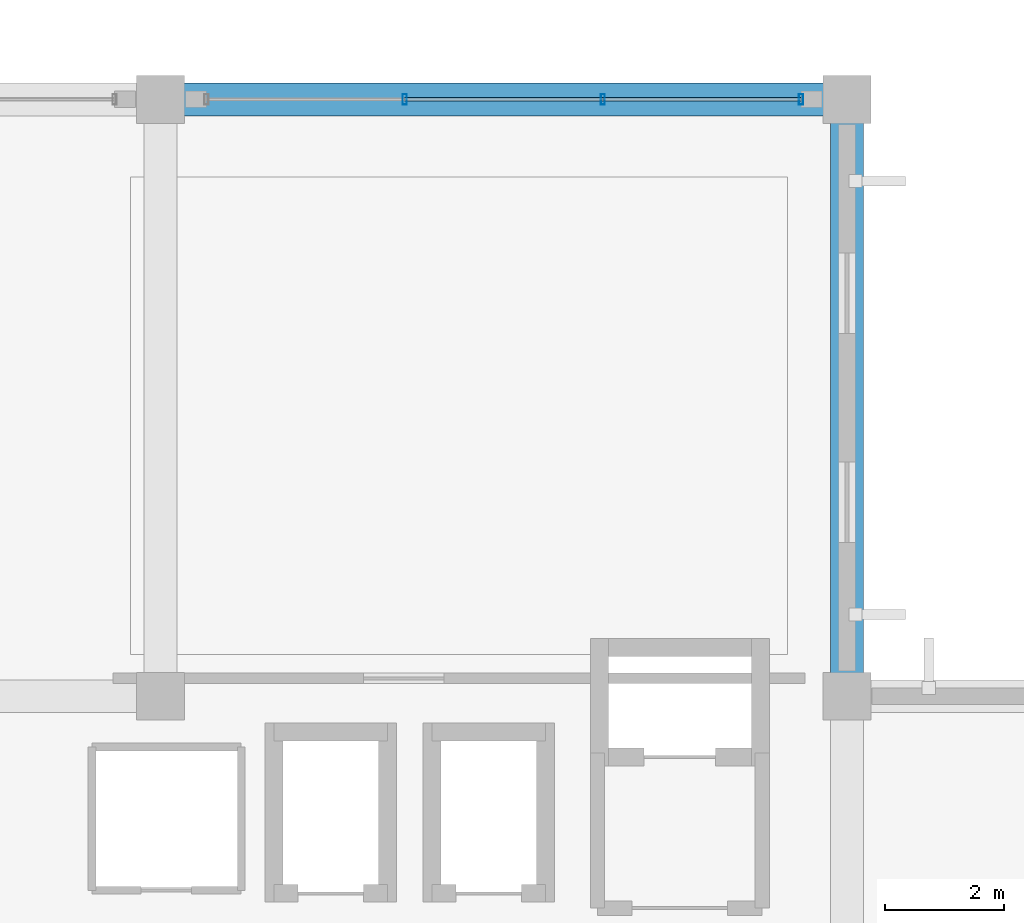
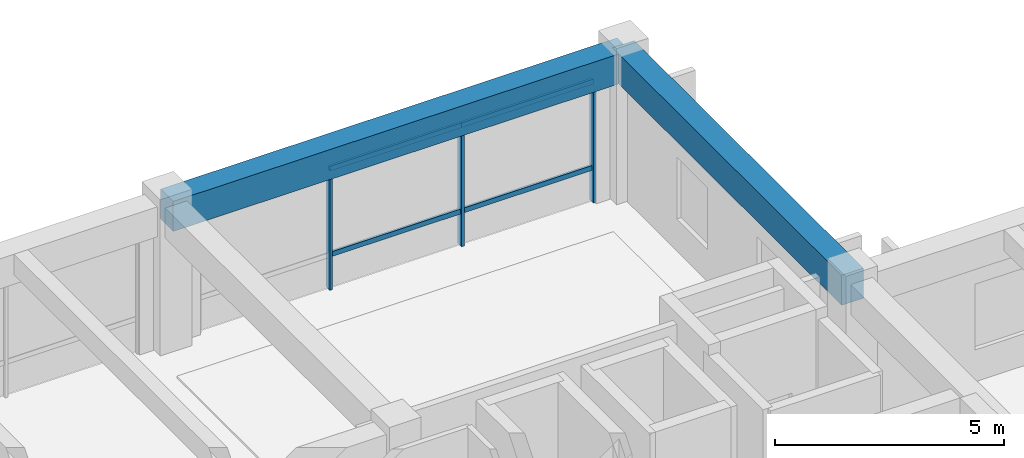
# One storey, part 22 of 33: 7 members, 2 beams, 1 element without a shape of its own.
"""IFC4 building model written with IfcOpenShell, lengths in metres."""

from ifc_helpers import new_model, si_unit, direction, frame, origin, origin_2d, place, context, subcontext, project, spatial, rectangle, hollow_rectangle, extrude, material, material_profile, profile_set, type_object, element, aggregate, save


model = new_model("IFC4")

# Units and contexts
model_context = context("Model", 3, precision=1e-05, world=origin(), true_north=direction((0.0, 1.0)))
body_context = subcontext(model_context, "Body", "Model", "MODEL_VIEW")
ifc_project = project(units=[si_unit("LENGTHUNIT", "METRE"), si_unit("AREAUNIT", "SQUARE_METRE"), si_unit("VOLUMEUNIT", "CUBIC_METRE"), si_unit("PLANEANGLEUNIT", "RADIAN"), si_unit("MASSUNIT", "GRAM", prefix="KILO")], contexts=[model_context])

# Site, building, storey
site_placement = place(None, origin())
site = spatial("IfcSite", under=ifc_project, at=site_placement, CompositionType="ELEMENT")
building_placement = place(site_placement, origin())
building = spatial("IfcBuilding", under=site, at=building_placement, Name="Ologun Quay Terminus", CompositionType="ELEMENT")
storey_placement = place(building_placement, frame((0.0, 0.0, 18.300048828125)))
storey = spatial("IfcBuildingStorey", under=building, at=storey_placement, Name="L04", CompositionType="ELEMENT", Elevation=18.300048828125)

# Beams
ifc_material_1 = material(Name="Concrete C40/50", Category="concrete")
ifc_material_profile_1 = material_profile(ifc_material_1, rectangle(XDim=0.550048828125, YDim=0.800048828125, at=origin_2d()), Name="RC 550x800")
ifc_profile_set_1 = profile_set([ifc_material_profile_1], Name="Concrete C40/50")
beam_type = type_object("IfcBeamType", Name="Courtyard Wing Primary Girder 550x800", PredefinedType="BEAM", material=ifc_profile_set_1)
beam_1_placement = place(storey_placement, frame((138.0, 114.800048828125, 3.5), z_axis=(1.0, 0.0, 0.0), x_axis=(0.0, 1.0, 0.0)))
element("IfcBeam", 1, at=beam_1_placement, inside=storey, type_object=beam_type, Name="B4 Beam 13/K L04", PredefinedType="BEAM", context=body_context, shape_type="SweptSolid", body=[
    extrude(rectangle(XDim=0.550048828125, YDim=0.800048828125, at=origin_2d()), origin(), (0.0, 0.0, 1.0), 11.5),
])
beam_2_placement = place(storey_placement, frame((149.5, 104.800048828125, 3.5), z_axis=(0.0, 1.0, 0.0), x_axis=(-1.0, 0.0, 0.0)))
element("IfcBeam", 2, at=beam_2_placement, inside=storey, type_object=beam_type, Name="B4 Beam 14/J L04", PredefinedType="BEAM", context=body_context, shape_type="SweptSolid", body=[
    extrude(rectangle(XDim=0.550048828125, YDim=0.800048828125, at=origin_2d()), origin(), (0.0, 0.0, 1.0), 10.0),
])

# Curtain wall, members
ifc_material_2 = material(Name="Aluminium 6063-T6", Category="aluminium")
curtain_wall_type = type_object("IfcCurtainWallType", Name="Operations Wing Harbour Curtain Wall L04 10400x3800", PredefinedType="USERDEFINED", material=ifc_material_2)
curtain_wall_placement = place(storey_placement, origin())
curtain_wall = element("IfcCurtainWall", 3, at=curtain_wall_placement, inside=storey, type_object=curtain_wall_type, Name="CW-27 Curtain Wall CW-L04-148", ObjectType="UNITISED CURTAIN WALL", PredefinedType="USERDEFINED")
ifc_material_3 = material(Name="Aluminium 6063-T6", Category="aluminium")
ifc_material_profile_2 = material_profile(ifc_material_3, hollow_rectangle(XDim=0.070068359375, YDim=0.179931640625, WallThickness=0.0048828125, at=origin_2d()), Name="ALU 180x70x5")
ifc_profile_set_2 = profile_set([ifc_material_profile_2], Name="Aluminium 6063-T6")
member_type_1 = type_object("IfcMemberType", Name="Curtain Wall Heavy Mullion 180x70", PredefinedType="MULLION", material=ifc_profile_set_2)
member_1_placement = place(storey_placement, frame((142.090087890625, 114.800048828125, 0.0), z_axis=(0.0, 0.0, 1.0), x_axis=(1.0, 0.0, 0.0)))
member_1 = element("IfcMember", 4, at=member_1_placement, type_object=member_type_1, Name="CW-L04-148 Mullion 2", PredefinedType="MULLION", context=body_context, shape_type="SweptSolid", body=[
    extrude(hollow_rectangle(XDim=0.070068359375, YDim=0.179931640625, WallThickness=0.0048828125, at=origin_2d()), origin(), (0.0, 0.0, 1.0), 3.889892578125),
])
member_2_placement = place(storey_placement, frame((145.409912109375, 114.800048828125, 0.0), z_axis=(0.0, 0.0, 1.0), x_axis=(1.0, 0.0, 0.0)))
member_2 = element("IfcMember", 5, at=member_2_placement, type_object=member_type_1, Name="CW-L04-148 Mullion 3", PredefinedType="MULLION", context=body_context, shape_type="SweptSolid", body=[
    extrude(hollow_rectangle(XDim=0.070068359375, YDim=0.179931640625, WallThickness=0.0048828125, at=origin_2d()), origin(), (0.0, 0.0, 1.0), 3.889892578125),
])
member_3_placement = place(storey_placement, frame((148.72998046875, 114.800048828125, 0.0), z_axis=(0.0, 0.0, 1.0), x_axis=(1.0, 0.0, 0.0)))
member_3 = element("IfcMember", 6, at=member_3_placement, type_object=member_type_1, Name="CW-L04-148 Mullion 4", PredefinedType="MULLION", context=body_context, shape_type="SweptSolid", body=[
    extrude(hollow_rectangle(XDim=0.070068359375, YDim=0.179931640625, WallThickness=0.0048828125, at=origin_2d()), origin(), (0.0, 0.0, 1.0), 3.889892578125),
])
ifc_material_4 = material(Name="Aluminium 6063-T6", Category="aluminium")
ifc_material_profile_3 = material_profile(ifc_material_4, hollow_rectangle(XDim=0.06005859375, YDim=0.1298828125, WallThickness=0.00390625, at=origin_2d()), Name="ALU 130x60x4")
ifc_profile_set_3 = profile_set([ifc_material_profile_3], Name="Aluminium 6063-T6")
member_type_2 = type_object("IfcMemberType", Name="Curtain Wall Heavy Transom 130x60", PredefinedType="USERDEFINED", material=ifc_profile_set_3)
member_4_placement = place(storey_placement, frame((142.090087890625, 114.800048828125, 0.89990234375), z_axis=(1.0, 0.0, 0.0), x_axis=(0.0, 1.0, 0.0)))
member_4 = element("IfcMember", 7, at=member_4_placement, type_object=member_type_2, Name="CW-L04-148 Transom B2-1", ObjectType="TRANSOM", PredefinedType="USERDEFINED", context=body_context, shape_type="SweptSolid", body=[
    extrude(hollow_rectangle(XDim=0.06005859375, YDim=0.1298828125, WallThickness=0.00390625, at=origin_2d()), origin(), (0.0, 0.0, 1.0), 3.31982421875),
])
member_5_placement = place(storey_placement, frame((142.090087890625, 114.800048828125, 3.18994140625), z_axis=(1.0, 0.0, 0.0), x_axis=(0.0, 1.0, 0.0)))
member_5 = element("IfcMember", 8, at=member_5_placement, type_object=member_type_2, Name="CW-L04-148 Transom B2-2", ObjectType="TRANSOM", PredefinedType="USERDEFINED", context=body_context, shape_type="SweptSolid", body=[
    extrude(hollow_rectangle(XDim=0.06005859375, YDim=0.1298828125, WallThickness=0.00390625, at=origin_2d()), origin(), (0.0, 0.0, 1.0), 3.31982421875),
])
member_6_placement = place(storey_placement, frame((145.409912109375, 114.800048828125, 0.89990234375), z_axis=(1.0, 0.0, 0.0), x_axis=(0.0, 1.0, 0.0)))
member_6 = element("IfcMember", 9, at=member_6_placement, type_object=member_type_2, Name="CW-L04-148 Transom B3-1", ObjectType="TRANSOM", PredefinedType="USERDEFINED", context=body_context, shape_type="SweptSolid", body=[
    extrude(hollow_rectangle(XDim=0.06005859375, YDim=0.1298828125, WallThickness=0.00390625, at=origin_2d()), origin(), (0.0, 0.0, 1.0), 3.320068359375),
])
member_7_placement = place(storey_placement, frame((145.409912109375, 114.800048828125, 3.18994140625), z_axis=(1.0, 0.0, 0.0), x_axis=(0.0, 1.0, 0.0)))
member_7 = element("IfcMember", 10, at=member_7_placement, type_object=member_type_2, Name="CW-L04-148 Transom B3-2", ObjectType="TRANSOM", PredefinedType="USERDEFINED", context=body_context, shape_type="SweptSolid", body=[
    extrude(hollow_rectangle(XDim=0.06005859375, YDim=0.1298828125, WallThickness=0.00390625, at=origin_2d()), origin(), (0.0, 0.0, 1.0), 3.320068359375),
])
aggregate(curtain_wall, [member_1, member_2, member_3, member_4, member_5, member_6, member_7])

save(model, "model.ifc")
